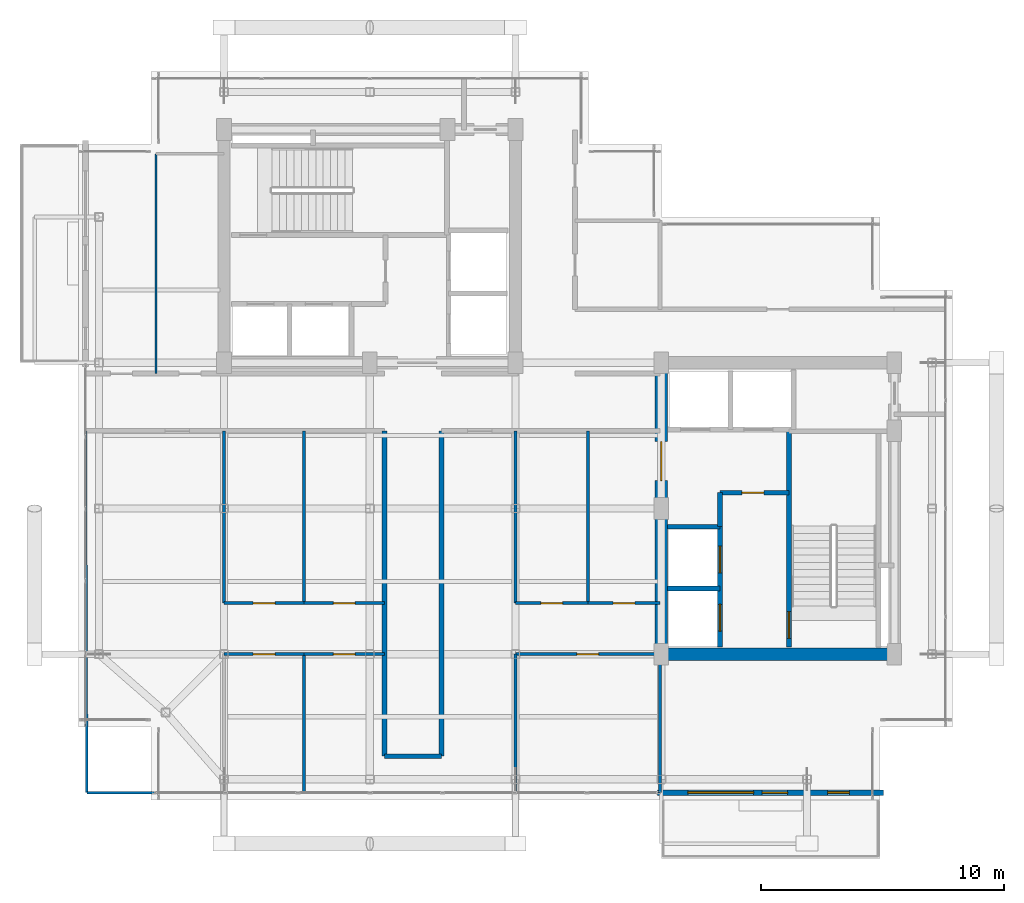
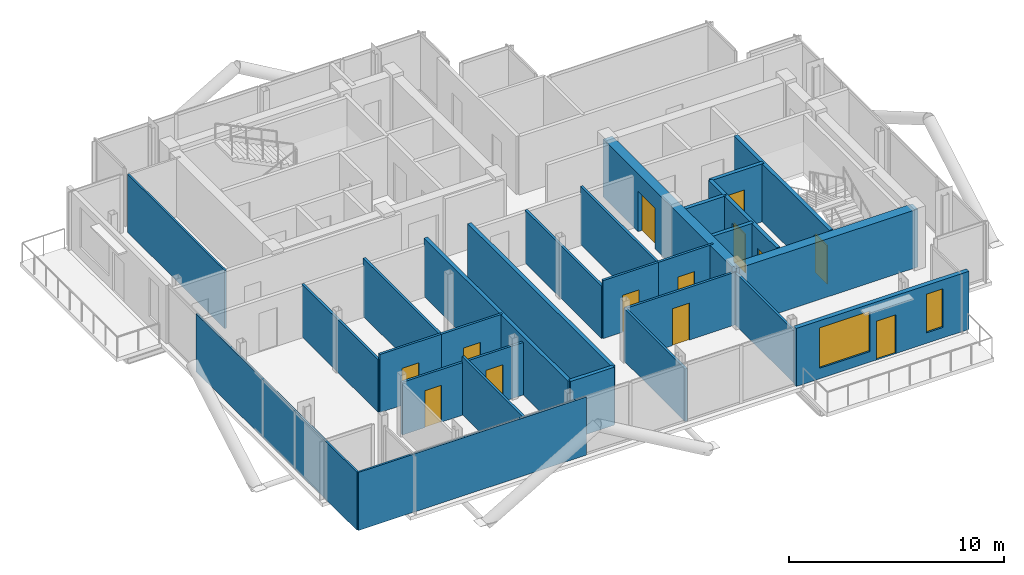
# One storey, part 15 of 19: 29 walls, 13 doors, 2 windows, 15 openings.
"""IFC4 building model written with IfcOpenShell, lengths in metres."""

from ifc_helpers import new_model, si_unit, direction, frame, frame_2d, origin, place, context, subcontext, project, spatial, rectangle, extrude, material, layer, layer_set, type_object, element, fill, save


model = new_model("IFC4")

# Units and contexts
model_context = context("Model", 3, precision=1e-05, world=origin(), true_north=direction((0.0, 1.0)))
body_context = subcontext(model_context, "Body", "Model", "MODEL_VIEW")
ifc_project = project(units=[si_unit("LENGTHUNIT", "METRE"), si_unit("AREAUNIT", "SQUARE_METRE"), si_unit("VOLUMEUNIT", "CUBIC_METRE"), si_unit("PLANEANGLEUNIT", "RADIAN"), si_unit("MASSUNIT", "GRAM", prefix="KILO"), si_unit("THERMODYNAMICTEMPERATUREUNIT", "KELVIN"), si_unit("POWERUNIT", "WATT")], contexts=[model_context])

# Site, building, storey
site_placement = place(None, origin())
site = spatial("IfcSite", under=ifc_project, at=site_placement, CompositionType="ELEMENT")
building_placement = place(site_placement, origin())
building = spatial("IfcBuilding", under=site, at=building_placement, Name="Svarakhadi Broadcast Tower", CompositionType="ELEMENT")
storey_placement = place(building_placement, frame((0.0, 0.0, 257.199951171875)))
storey = spatial("IfcBuildingStorey", under=building, at=storey_placement, Name="L64", CompositionType="ELEMENT", Elevation=257.199951171875)

# Wall, openings, door, windows
ifc_material_1 = material(Name="Concrete C40/50 (IS 456 M50)", Category="concrete")
ifc_layer_1 = layer(ifc_material_1, 0.239990234375)
ifc_layer_set_1 = layer_set([ifc_layer_1], Name="Concrete C40/50 (IS 456 M50)")
wall_type_1 = type_object("IfcWallType", Name="Wall_Ext_240", PredefinedType="SOLIDWALL", material=ifc_layer_set_1)
wall_1_placement = place(storey_placement, frame((33.14501953125, 0.300048828125, 0.0), z_axis=(0.0, 0.0, 1.0), x_axis=(-1.0, 0.0, 0.0)))
wall_1 = element("IfcWall", 1, at=wall_1_placement, inside=storey, type_object=wall_type_1, Name="L64 South Tree Balcony Spandrel Wall", PredefinedType="SOLIDWALL", context=body_context, shape_type="SweptSolid", body=[
    extrude(rectangle(XDim=9.2900390625, YDim=0.239990234375, at=frame_2d((4.64501953125, 0.0))), origin(), (0.0, 0.0, 1.0), 3.300048828125),
])
opening_1_placement = place(wall_1_placement, frame((3.945068359375, 0.0, 0.0)))
opening_1 = element("IfcOpeningElement", 2, at=opening_1_placement, cuts=wall_1, Name="Opening ED-06", PredefinedType="OPENING", context=body_context, shape_type="SweptSolid", body=[
    extrude(rectangle(XDim=1.050048828125, YDim=2.199951171875, at=frame_2d((0.52490234375, 1.10009765625))), frame((0.0, 0.1298828125, 0.0), z_axis=(0.0, -1.0, 0.0), x_axis=(1.0, 0.0, 0.0)), (0.0, 0.0, 1.0), 0.260009765625),
])
opening_2_placement = place(wall_1_placement, frame((5.344970703125, 0.0, 0.60009765625)))
opening_2 = element("IfcOpeningElement", 3, at=opening_2_placement, cuts=wall_1, Name="Opening WN-07", PredefinedType="OPENING", context=body_context, shape_type="SweptSolid", body=[
    extrude(rectangle(XDim=2.699951171875, YDim=2.300048828125, at=frame_2d((1.35009765625, 1.14990234375))), frame((0.0, 0.1298828125, 0.0), z_axis=(0.0, -1.0, 0.0), x_axis=(1.0, 0.0, 0.0)), (0.0, 0.0, 1.0), 0.260009765625),
])
opening_3_placement = place(wall_1_placement, frame((1.39990234375, 0.0, 0.60009765625)))
opening_3 = element("IfcOpeningElement", 4, at=opening_3_placement, cuts=wall_1, Name="Opening WN-04", PredefinedType="OPENING", context=body_context, shape_type="SweptSolid", body=[
    extrude(rectangle(XDim=0.89990234375, YDim=2.199951171875, at=frame_2d((0.449951171875, 1.10009765625))), frame((0.0, 0.1298828125, 0.0), z_axis=(0.0, -1.0, 0.0), x_axis=(1.0, 0.0, 0.0)), (0.0, 0.0, 1.0), 0.260009765625),
])
ifc_material_2 = material(Name="Anodised Bronze Aluminium AA 6063-T6", Category="aluminium")
door_type_1 = type_object("IfcDoorType", Name="Door_Ext_ED06", OperationType="SINGLE_SWING_RIGHT", PredefinedType="DOOR", material=ifc_material_2)
door_1_placement = place(opening_1_placement, origin())
door_1 = element("IfcDoor", 5, at=door_1_placement, inside=storey, type_object=door_type_1, Name="L64 South Tree Balcony Door", OperationType="SINGLE_SWING_RIGHT", OverallHeight=2.199951171875, OverallWidth=1.050048828125, PredefinedType="DOOR", context=body_context, shape_type="SweptSolid", body=[
    extrude(rectangle(XDim=1.050048828125, YDim=2.199951171875, at=frame_2d((0.52490234375, 1.10009765625))), frame((0.0, 0.02490234375, 0.0), z_axis=(0.0, -1.0, 0.0), x_axis=(1.0, 0.0, 0.0)), (0.0, 0.0, 1.0), 0.050048828125),
])
fill(opening_1, door_1)
ifc_material_3 = material(Name="Double Low-E Laminated Acoustic Glass IGU 36 mm", Category="glass")
window_type_1 = type_object("IfcWindowType", Name="Win_Resi_WN07", PartitioningType="SINGLE_PANEL", PredefinedType="WINDOW", material=ifc_material_3)
window_1_placement = place(opening_2_placement, origin())
window_1 = element("IfcWindow", 6, at=window_1_placement, inside=storey, type_object=window_type_1, Name="L64 South Tree Balcony Window", OverallHeight=2.300048828125, OverallWidth=2.699951171875, PartitioningType="SINGLE_PANEL", PredefinedType="WINDOW", context=body_context, shape_type="SweptSolid", body=[
    extrude(rectangle(XDim=2.699951171875, YDim=2.300048828125, at=frame_2d((1.35009765625, 1.14990234375))), frame((0.0, 0.030029296875, 0.0), z_axis=(0.0, -1.0, 0.0), x_axis=(1.0, 0.0, 0.0)), (0.0, 0.0, 1.0), 0.06005859375),
])
fill(opening_2, window_1)
window_type_2 = type_object("IfcWindowType", Name="Win_Slot_WN04", PartitioningType="SINGLE_PANEL", PredefinedType="WINDOW", material=ifc_material_3)
window_2_placement = place(opening_3_placement, origin())
window_2 = element("IfcWindow", 7, at=window_2_placement, inside=storey, type_object=window_type_2, Name="L64 South Primary Bedroom Slot Window", OverallHeight=2.199951171875, OverallWidth=0.89990234375, PartitioningType="SINGLE_PANEL", PredefinedType="WINDOW", context=body_context, shape_type="SweptSolid", body=[
    extrude(rectangle(XDim=0.89990234375, YDim=2.199951171875, at=frame_2d((0.449951171875, 1.10009765625))), frame((0.0, 0.030029296875, 0.0), z_axis=(0.0, -1.0, 0.0), x_axis=(1.0, 0.0, 0.0)), (0.0, 0.0, 1.0), 0.06005859375),
])
fill(opening_3, window_2)

# Walls
ifc_layer_2 = layer(ifc_material_1, 0.199951171875)
ifc_layer_set_2 = layer_set([ifc_layer_2], Name="Concrete C40/50 (IS 456 M50)")
wall_type_2 = type_object("IfcWallType", Name="Wall_Fire_200", PredefinedType="SOLIDWALL", material=ifc_layer_set_2)
for number, where, z_axis, x_axis, name in (
    (8, (12.60009765625, 1.800048828125, 0.0), (0.0, 0.0, 1.0), (0.0, 1.0, 0.0), "L64 Upper Tower Concourse Wall"),
    (9, (14.949951171875, 15.199951171875, 0.0), (0.0, 0.0, 1.0), (0.0, -1.0, 0.0), "L64 Upper Tower Concourse Wall"),
):
    element("IfcWall", number, at=place(storey_placement, frame(where, z_axis=z_axis, x_axis=x_axis)), inside=storey, type_object=wall_type_2, Name=name, PredefinedType="SOLIDWALL", context=body_context, shape_type="SweptSolid", body=[
        extrude(rectangle(XDim=13.39990234375, YDim=0.199951171875, at=frame_2d((6.699951171875, 0.0))), origin(), (0.0, 0.0, 1.0), 3.300048828125),
    ])
wall_2_placement = place(storey_placement, frame((14.949951171875, 1.800048828125, 0.0), z_axis=(0.0, 0.0, 1.0), x_axis=(-1.0, 0.0, 0.0)))
element("IfcWall", 10, at=wall_2_placement, inside=storey, type_object=wall_type_2, Name="L64 Upper Tower Concourse Wall", PredefinedType="SOLIDWALL", context=body_context, shape_type="SweptSolid", body=[
    extrude(rectangle(XDim=2.349853515625, YDim=0.199951171875, at=frame_2d((1.1748046875, 0.0))), origin(), (0.0, 0.0, 1.0), 3.300048828125),
])
ifc_material_4 = material(Name="Fire-Rated Moisture-Resistant Gypsum Board Partition", Category="gypsum")
ifc_layer_3 = layer(ifc_material_4, 0.10009765625)
ifc_layer_set_3 = layer_set([ifc_layer_3], Name="Fire-Rated Moisture-Resistant Gypsum Board Partition")
wall_type_3 = type_object("IfcWallType", Name="Wall_Part_100", PredefinedType="PARTITIONING", material=ifc_layer_set_3)
wall_3_placement = place(storey_placement, frame((0.35009765625, 0.300048828125, 0.0), z_axis=(0.0, 0.0, 1.0), x_axis=(1.0, 0.0, 0.0)))
element("IfcWall", 11, at=wall_3_placement, inside=storey, type_object=wall_type_3, Name="L64 Apartment A Wall", PredefinedType="PARTITIONING", context=body_context, shape_type="SweptSolid", body=[
    extrude(rectangle(XDim=12.25, YDim=0.10009765625, at=frame_2d((6.125, 0.0))), origin(), (0.0, 0.0, 1.0), 3.300048828125),
])
wall_4_placement = place(storey_placement, frame((0.35009765625, 0.300048828125, 0.0), z_axis=(0.0, 0.0, 1.0), x_axis=(-0.003358984819, 0.999994358595, 0.0)))
element("IfcWall", 12, at=wall_4_placement, inside=storey, type_object=wall_type_3, Name="L64 Apartment A Wall", PredefinedType="PARTITIONING", context=body_context, shape_type="SweptSolid", body=[
    extrude(rectangle(XDim=14.89990234375, YDim=0.10009765625, at=frame_2d((7.449951171875, 0.0))), origin(), (0.0, 0.0, 1.0), 3.300048828125),
])
wall_5_placement = place(storey_placement, frame((3.199951171875, 17.550048828125, 0.0), z_axis=(0.0, 0.0, 1.0), x_axis=(0.0, 1.0, 0.0)))
element("IfcWall", 13, at=wall_5_placement, inside=storey, type_object=wall_type_3, Name="L64 Residents Private Dining Salon Wall", PredefinedType="PARTITIONING", context=body_context, shape_type="SweptSolid", body=[
    extrude(rectangle(XDim=9.050048828125, YDim=0.10009765625, at=frame_2d((4.52490234375, 0.0))), origin(), (0.0, 0.0, 1.0), 3.300048828125),
])

# Wall, opening, door
ifc_layer_4 = layer(ifc_material_4, 0.125)
ifc_layer_set_4 = layer_set([ifc_layer_4], Name="Fire-Rated Moisture-Resistant Gypsum Board Partition")
wall_type_4 = type_object("IfcWallType", Name="Wall_Part_125", PredefinedType="PARTITIONING", material=ifc_layer_set_4)
wall_6_placement = place(storey_placement, frame((6.0, 8.10009765625, 0.0), z_axis=(0.0, 0.0, 1.0), x_axis=(1.0, 0.0, 0.0)))
wall_6 = element("IfcWall", 14, at=wall_6_placement, inside=storey, type_object=wall_type_4, Name="L64 Apartment A Kitchen Wall", PredefinedType="PARTITIONING", context=body_context, shape_type="SweptSolid", body=[
    extrude(rectangle(XDim=3.300048828125, YDim=0.125, at=frame_2d((1.64990234375, 0.0))), origin(), (0.0, 0.0, 1.0), 3.300048828125),
])
opening_4_placement = place(wall_6_placement, frame((1.199951171875, 0.0, 0.0)))
opening_4 = element("IfcOpeningElement", 15, at=opening_4_placement, cuts=wall_6, Name="Opening D-14", PredefinedType="OPENING", context=body_context, shape_type="SweptSolid", body=[
    extrude(rectangle(XDim=0.89990234375, YDim=2.10009765625, at=frame_2d((0.449951171875, 1.050048828125))), frame((0.0, 0.072509765625, 0.0), z_axis=(0.0, -1.0, 0.0), x_axis=(1.0, 0.0, 0.0)), (0.0, 0.0, 1.0), 0.14501953125),
])
ifc_material_5 = material(Name="Solid-Core Teak Veneer Acoustic Timber Leaf", Category="wood")
door_type_2 = type_object("IfcDoorType", Name="Door_Int_D14", OperationType="SINGLE_SWING_LEFT", PredefinedType="DOOR", material=ifc_material_5)
door_2_placement = place(opening_4_placement, origin())
door_2 = element("IfcDoor", 16, at=door_2_placement, inside=storey, type_object=door_type_2, Name="L64 Apartment A Kitchen Door", OperationType="SINGLE_SWING_LEFT", OverallHeight=2.10009765625, OverallWidth=0.89990234375, PredefinedType="DOOR", context=body_context, shape_type="SweptSolid", body=[
    extrude(rectangle(XDim=0.89990234375, YDim=2.10009765625, at=frame_2d((0.449951171875, 1.050048828125))), frame((0.0, 0.02490234375, 0.0), z_axis=(0.0, -1.0, 0.0), x_axis=(1.0, 0.0, 0.0)), (0.0, 0.0, 1.0), 0.050048828125),
])
fill(opening_4, door_2)

# Walls
wall_7_placement = place(storey_placement, frame((6.0, 8.10009765625, 0.0), z_axis=(0.0, 0.0, 1.0), x_axis=(0.0, 1.0, 0.0)))
element("IfcWall", 17, at=wall_7_placement, inside=storey, type_object=wall_type_4, Name="L64 Apartment A Kitchen Wall", PredefinedType="PARTITIONING", context=body_context, shape_type="SweptSolid", body=[
    extrude(rectangle(XDim=7.099853515625, YDim=0.125, at=frame_2d((3.5498046875, 0.0))), origin(), (0.0, 0.0, 1.0), 2.991943359375),
])
wall_8_placement = place(storey_placement, frame((9.300048828125, 8.10009765625, 0.0), z_axis=(0.0, 0.0, 1.0), x_axis=(0.0, 1.0, 0.0)))
element("IfcWall", 18, at=wall_8_placement, inside=storey, type_object=wall_type_4, Name="L64 Apartment A Kitchen Wall", PredefinedType="PARTITIONING", context=body_context, shape_type="SweptSolid", body=[
    extrude(rectangle(XDim=7.099853515625, YDim=0.125, at=frame_2d((3.5498046875, 0.0))), origin(), (0.0, 0.0, 1.0), 3.300048828125),
])

# Wall, opening, door
wall_9_placement = place(storey_placement, frame((9.300048828125, 8.10009765625, 0.0), z_axis=(0.0, 0.0, 1.0), x_axis=(1.0, 0.0, 0.0)))
wall_9 = element("IfcWall", 19, at=wall_9_placement, inside=storey, type_object=wall_type_4, Name="L64 Apartment A Bathroom Wall", PredefinedType="PARTITIONING", context=body_context, shape_type="SweptSolid", body=[
    extrude(rectangle(XDim=3.300048828125, YDim=0.125, at=frame_2d((1.64990234375, 0.0))), origin(), (0.0, 0.0, 1.0), 3.300048828125),
])
opening_5_placement = place(wall_9_placement, frame((1.199951171875, 0.0, 0.0)))
opening_5 = element("IfcOpeningElement", 20, at=opening_5_placement, cuts=wall_9, Name="Opening D-13", PredefinedType="OPENING", context=body_context, shape_type="SweptSolid", body=[
    extrude(rectangle(XDim=0.89990234375, YDim=2.10009765625, at=frame_2d((0.449951171875, 1.050048828125))), frame((0.0, 0.072509765625, 0.0), z_axis=(0.0, -1.0, 0.0), x_axis=(1.0, 0.0, 0.0)), (0.0, 0.0, 1.0), 0.14501953125),
])
door_type_3 = type_object("IfcDoorType", Name="Door_Closet_D13", OperationType="SINGLE_SWING_RIGHT", PredefinedType="DOOR", material=ifc_material_5)
door_3_placement = place(opening_5_placement, origin())
door_3 = element("IfcDoor", 21, at=door_3_placement, inside=storey, type_object=door_type_3, Name="L64 Apartment A Bathroom Door", OperationType="SINGLE_SWING_RIGHT", OverallHeight=2.10009765625, OverallWidth=0.89990234375, PredefinedType="DOOR", context=body_context, shape_type="SweptSolid", body=[
    extrude(rectangle(XDim=0.89990234375, YDim=2.10009765625, at=frame_2d((0.449951171875, 1.050048828125))), frame((0.0, 0.02490234375, 0.0), z_axis=(0.0, -1.0, 0.0), x_axis=(1.0, 0.0, 0.0)), (0.0, 0.0, 1.0), 0.050048828125),
])
fill(opening_5, door_3)

wall_10_placement = place(storey_placement, frame((6.0, 6.0, 0.0), z_axis=(0.0, 0.0, 1.0), x_axis=(1.0, 0.0, 0.0)))
wall_10 = element("IfcWall", 22, at=wall_10_placement, inside=storey, type_object=wall_type_4, Name="L64 Apartment A Bedroom 1 Wall", PredefinedType="PARTITIONING", context=body_context, shape_type="SweptSolid", body=[
    extrude(rectangle(XDim=3.300048828125, YDim=0.125, at=frame_2d((1.64990234375, 0.0))), origin(), (0.0, 0.0, 1.0), 2.991943359375),
])
opening_6_placement = place(wall_10_placement, frame((1.199951171875, 0.0, 0.0)))
opening_6 = element("IfcOpeningElement", 23, at=opening_6_placement, cuts=wall_10, Name="Opening D-15", PredefinedType="OPENING", context=body_context, shape_type="SweptSolid", body=[
    extrude(rectangle(XDim=0.89990234375, YDim=2.10009765625, at=frame_2d((0.449951171875, 1.050048828125))), frame((0.0, 0.072509765625, 0.0), z_axis=(0.0, -1.0, 0.0), x_axis=(1.0, 0.0, 0.0)), (0.0, 0.0, 1.0), 0.14501953125),
])
door_type_4 = type_object("IfcDoorType", Name="Door_Int_D15", OperationType="SINGLE_SWING_RIGHT", PredefinedType="DOOR", material=ifc_material_5)
door_4_placement = place(opening_6_placement, origin())
door_4 = element("IfcDoor", 24, at=door_4_placement, inside=storey, type_object=door_type_4, Name="L64 Apartment A Bedroom 1 Door", OperationType="SINGLE_SWING_RIGHT", OverallHeight=2.10009765625, OverallWidth=0.89990234375, PredefinedType="DOOR", context=body_context, shape_type="SweptSolid", body=[
    extrude(rectangle(XDim=0.89990234375, YDim=2.10009765625, at=frame_2d((0.449951171875, 1.050048828125))), frame((0.0, 0.02490234375, 0.0), z_axis=(0.0, -1.0, 0.0), x_axis=(1.0, 0.0, 0.0)), (0.0, 0.0, 1.0), 0.050048828125),
])
fill(opening_6, door_4)

# Wall
wall_11_placement = place(storey_placement, frame((9.300048828125, 0.300048828125, 0.0), z_axis=(0.0, 0.0, 1.0), x_axis=(0.0, 1.0, 0.0)))
element("IfcWall", 25, at=wall_11_placement, inside=storey, type_object=wall_type_4, Name="L64 Apartment A Bedroom 1 Wall", PredefinedType="PARTITIONING", context=body_context, shape_type="SweptSolid", body=[
    extrude(rectangle(XDim=5.699951171875, YDim=0.125, at=frame_2d((2.85009765625, 0.0))), origin(), (0.0, 0.0, 1.0), 3.300048828125),
])

# Wall, opening, door
wall_12_placement = place(storey_placement, frame((9.300048828125, 6.0, 0.0), z_axis=(0.0, 0.0, 1.0), x_axis=(1.0, 0.0, 0.0)))
wall_12 = element("IfcWall", 26, at=wall_12_placement, inside=storey, type_object=wall_type_4, Name="L64 Apartment A Bedroom 2 Wall", PredefinedType="PARTITIONING", context=body_context, shape_type="SweptSolid", body=[
    extrude(rectangle(XDim=3.300048828125, YDim=0.125, at=frame_2d((1.64990234375, 0.0))), origin(), (0.0, 0.0, 1.0), 2.991943359375),
])
opening_7_placement = place(wall_12_placement, frame((1.199951171875, 0.0, 0.0)))
opening_7 = element("IfcOpeningElement", 27, at=opening_7_placement, cuts=wall_12, Name="Opening D-14", PredefinedType="OPENING", context=body_context, shape_type="SweptSolid", body=[
    extrude(rectangle(XDim=0.89990234375, YDim=2.10009765625, at=frame_2d((0.449951171875, 1.050048828125))), frame((0.0, 0.072509765625, 0.0), z_axis=(0.0, -1.0, 0.0), x_axis=(1.0, 0.0, 0.0)), (0.0, 0.0, 1.0), 0.14501953125),
])
door_5_placement = place(opening_7_placement, origin())
door_5 = element("IfcDoor", 28, at=door_5_placement, inside=storey, type_object=door_type_2, Name="L64 Apartment A Bedroom 2 Door", OperationType="SINGLE_SWING_LEFT", OverallHeight=2.10009765625, OverallWidth=0.89990234375, PredefinedType="DOOR", context=body_context, shape_type="SweptSolid", body=[
    extrude(rectangle(XDim=0.89990234375, YDim=2.10009765625, at=frame_2d((0.449951171875, 1.050048828125))), frame((0.0, 0.02490234375, 0.0), z_axis=(0.0, -1.0, 0.0), x_axis=(1.0, 0.0, 0.0)), (0.0, 0.0, 1.0), 0.050048828125),
])
fill(opening_7, door_5)

wall_13_placement = place(storey_placement, frame((18.0, 8.10009765625, 0.0), z_axis=(0.0, 0.0, 1.0), x_axis=(1.0, 0.0, 0.0)))
wall_13 = element("IfcWall", 29, at=wall_13_placement, inside=storey, type_object=wall_type_4, Name="L64 Apartment B Kitchen Wall", PredefinedType="PARTITIONING", context=body_context, shape_type="SweptSolid", body=[
    extrude(rectangle(XDim=2.97998046875, YDim=0.125, at=frame_2d((1.489990234375, 0.0))), origin(), (0.0, 0.0, 1.0), 3.300048828125),
])
opening_8_placement = place(wall_13_placement, frame((1.0400390625, 0.0, 0.0)))
opening_8 = element("IfcOpeningElement", 30, at=opening_8_placement, cuts=wall_13, Name="Opening D-14", PredefinedType="OPENING", context=body_context, shape_type="SweptSolid", body=[
    extrude(rectangle(XDim=0.89990234375, YDim=2.10009765625, at=frame_2d((0.449951171875, 1.050048828125))), frame((0.0, 0.072509765625, 0.0), z_axis=(0.0, -1.0, 0.0), x_axis=(1.0, 0.0, 0.0)), (0.0, 0.0, 1.0), 0.14501953125),
])
door_6_placement = place(opening_8_placement, origin())
door_6 = element("IfcDoor", 31, at=door_6_placement, inside=storey, type_object=door_type_2, Name="L64 Apartment B Kitchen Door", OperationType="SINGLE_SWING_LEFT", OverallHeight=2.10009765625, OverallWidth=0.89990234375, PredefinedType="DOOR", context=body_context, shape_type="SweptSolid", body=[
    extrude(rectangle(XDim=0.89990234375, YDim=2.10009765625, at=frame_2d((0.449951171875, 1.050048828125))), frame((0.0, 0.02490234375, 0.0), z_axis=(0.0, -1.0, 0.0), x_axis=(1.0, 0.0, 0.0)), (0.0, 0.0, 1.0), 0.050048828125),
])
fill(opening_8, door_6)

# Walls
wall_14_placement = place(storey_placement, frame((18.0, 8.10009765625, 0.0), z_axis=(0.0, 0.0, 1.0), x_axis=(0.0, 1.0, 0.0)))
element("IfcWall", 32, at=wall_14_placement, inside=storey, type_object=wall_type_4, Name="L64 Apartment B Kitchen Wall", PredefinedType="PARTITIONING", context=body_context, shape_type="SweptSolid", body=[
    extrude(rectangle(XDim=7.099853515625, YDim=0.125, at=frame_2d((3.5498046875, 0.0))), origin(), (0.0, 0.0, 1.0), 2.991943359375),
])
wall_15_placement = place(storey_placement, frame((20.97998046875, 8.10009765625, 0.0), z_axis=(0.0, 0.0, 1.0), x_axis=(0.0, 1.0, 0.0)))
element("IfcWall", 33, at=wall_15_placement, inside=storey, type_object=wall_type_4, Name="L64 Apartment B Kitchen Wall", PredefinedType="PARTITIONING", context=body_context, shape_type="SweptSolid", body=[
    extrude(rectangle(XDim=7.099853515625, YDim=0.125, at=frame_2d((3.5498046875, 0.0))), origin(), (0.0, 0.0, 1.0), 3.300048828125),
])

# Wall, opening, door
wall_16_placement = place(storey_placement, frame((20.97998046875, 8.10009765625, 0.0), z_axis=(0.0, 0.0, 1.0), x_axis=(1.0, 0.0, 0.0)))
wall_16 = element("IfcWall", 34, at=wall_16_placement, inside=storey, type_object=wall_type_4, Name="L64 Apartment B Bathroom Wall", PredefinedType="PARTITIONING", context=body_context, shape_type="SweptSolid", body=[
    extrude(rectangle(XDim=2.969970703125, YDim=0.125, at=frame_2d((1.48486328125, 0.0))), origin(), (0.0, 0.0, 1.0), 3.300048828125),
])
opening_9_placement = place(wall_16_placement, frame((1.034912109375, 0.0, 0.0)))
opening_9 = element("IfcOpeningElement", 35, at=opening_9_placement, cuts=wall_16, Name="Opening D-13", PredefinedType="OPENING", context=body_context, shape_type="SweptSolid", body=[
    extrude(rectangle(XDim=0.89990234375, YDim=2.10009765625, at=frame_2d((0.449951171875, 1.050048828125))), frame((0.0, 0.072509765625, 0.0), z_axis=(0.0, -1.0, 0.0), x_axis=(1.0, 0.0, 0.0)), (0.0, 0.0, 1.0), 0.14501953125),
])
door_7_placement = place(opening_9_placement, origin())
door_7 = element("IfcDoor", 36, at=door_7_placement, inside=storey, type_object=door_type_3, Name="L64 Apartment B Bathroom Door", OperationType="SINGLE_SWING_RIGHT", OverallHeight=2.10009765625, OverallWidth=0.89990234375, PredefinedType="DOOR", context=body_context, shape_type="SweptSolid", body=[
    extrude(rectangle(XDim=0.89990234375, YDim=2.10009765625, at=frame_2d((0.449951171875, 1.050048828125))), frame((0.0, 0.02490234375, 0.0), z_axis=(0.0, -1.0, 0.0), x_axis=(1.0, 0.0, 0.0)), (0.0, 0.0, 1.0), 0.050048828125),
])
fill(opening_9, door_7)

wall_17_placement = place(storey_placement, frame((18.0, 6.0, 0.0), z_axis=(0.0, 0.0, 1.0), x_axis=(1.0, 0.0, 0.0)))
wall_17 = element("IfcWall", 37, at=wall_17_placement, inside=storey, type_object=wall_type_4, Name="L64 Apartment B Primary Bedroom Wall", PredefinedType="PARTITIONING", context=body_context, shape_type="SweptSolid", body=[
    extrude(rectangle(XDim=5.949951171875, YDim=0.125, at=frame_2d((2.97509765625, 0.0))), origin(), (0.0, 0.0, 1.0), 2.991943359375),
])
opening_10_placement = place(wall_17_placement, frame((2.52490234375, 0.0, 0.0)))
opening_10 = element("IfcOpeningElement", 38, at=opening_10_placement, cuts=wall_17, Name="Opening D-14", PredefinedType="OPENING", context=body_context, shape_type="SweptSolid", body=[
    extrude(rectangle(XDim=0.89990234375, YDim=2.10009765625, at=frame_2d((0.449951171875, 1.050048828125))), frame((0.0, 0.072509765625, 0.0), z_axis=(0.0, -1.0, 0.0), x_axis=(1.0, 0.0, 0.0)), (0.0, 0.0, 1.0), 0.14501953125),
])
door_8_placement = place(opening_10_placement, origin())
door_8 = element("IfcDoor", 39, at=door_8_placement, inside=storey, type_object=door_type_2, Name="L64 Apartment B Bedroom Door", OperationType="SINGLE_SWING_LEFT", OverallHeight=2.10009765625, OverallWidth=0.89990234375, PredefinedType="DOOR", context=body_context, shape_type="SweptSolid", body=[
    extrude(rectangle(XDim=0.89990234375, YDim=2.10009765625, at=frame_2d((0.449951171875, 1.050048828125))), frame((0.0, 0.02490234375, 0.0), z_axis=(0.0, -1.0, 0.0), x_axis=(1.0, 0.0, 0.0)), (0.0, 0.0, 1.0), 0.050048828125),
])
fill(opening_10, door_8)

# Walls
wall_18_placement = place(storey_placement, frame((18.0, 0.300048828125, 0.0), z_axis=(0.0, 0.0, 1.0), x_axis=(0.0, 1.0, 0.0)))
element("IfcWall", 40, at=wall_18_placement, inside=storey, type_object=wall_type_4, Name="L64 Apartment B Primary Bedroom Wall", PredefinedType="PARTITIONING", context=body_context, shape_type="SweptSolid", body=[
    extrude(rectangle(XDim=5.699951171875, YDim=0.125, at=frame_2d((2.85009765625, 0.0))), origin(), (0.0, 0.0, 1.0), 2.991943359375),
])
wall_19_placement = place(storey_placement, frame((23.949951171875, 0.300048828125, 0.0), z_axis=(0.0, 0.0, 1.0), x_axis=(0.0, 1.0, 0.0)))
element("IfcWall", 41, at=wall_19_placement, inside=storey, type_object=wall_type_4, Name="L64 Apartment B Primary Bedroom Wall", PredefinedType="PARTITIONING", context=body_context, shape_type="SweptSolid", body=[
    extrude(rectangle(XDim=5.699951171875, YDim=0.125, at=frame_2d((2.85009765625, 0.0))), origin(), (0.0, 0.0, 1.0), 2.967041015625),
])

# Wall, opening, door
ifc_material_6 = material(Name="Concrete C50/60 (IS 456 M60)", Category="concrete")
ifc_layer_5 = layer(ifc_material_6, 0.199951171875)
ifc_layer_set_5 = layer_set([ifc_layer_5], Name="Concrete C50/60 (IS 456 M60)")
wall_type_5 = type_object("IfcWallType", Name="Wall_Shear_200", PredefinedType="SHEAR", material=ifc_layer_set_5)
wall_20_placement = place(storey_placement, frame((29.260009765625, 6.300048828125, 0.0), z_axis=(0.0, 0.0, 1.0), x_axis=(0.0, 1.0, 0.0)))
wall_20 = element("IfcWall", 42, at=wall_20_placement, inside=storey, type_object=wall_type_5, Name="L64 Stair ST-02 West RC Shaft Wall", PredefinedType="SHEAR", context=body_context, shape_type="SweptSolid", body=[
    extrude(rectangle(XDim=8.8798828125, YDim=0.199951171875, at=frame_2d((4.43994140625, 0.0))), origin(), (0.0, 0.0, 1.0), 3.300048828125),
])
opening_11_placement = place(wall_20_placement, frame((0.35009765625, 0.0, 0.0)))
opening_11 = element("IfcOpeningElement", 43, at=opening_11_placement, cuts=wall_20, Name="Opening D-02", PredefinedType="OPENING", context=body_context, shape_type="SweptSolid", body=[
    extrude(rectangle(XDim=1.10009765625, YDim=2.199951171875, at=frame_2d((0.550048828125, 1.10009765625))), frame((0.0, 0.10986328125, 0.0), z_axis=(0.0, -1.0, 0.0), x_axis=(1.0, 0.0, 0.0)), (0.0, 0.0, 1.0), 0.219970703125),
])
ifc_material_7 = material(Name="Galvanised Powder-Coated Fire-Rated Steel Leaf", Category="steel")
door_type_5 = type_object("IfcDoorType", Name="Door_Stair_D02", OperationType="SINGLE_SWING_RIGHT", PredefinedType="DOOR", material=ifc_material_7)
door_9_placement = place(opening_11_placement, origin())
door_9 = element("IfcDoor", 44, at=door_9_placement, inside=storey, type_object=door_type_5, Name="L64 Protected Exit Stair ST-02 Fire Door", OperationType="SINGLE_SWING_RIGHT", OverallHeight=2.199951171875, OverallWidth=1.10009765625, PredefinedType="DOOR", context=body_context, shape_type="SweptSolid", body=[
    extrude(rectangle(XDim=1.10009765625, YDim=2.199951171875, at=frame_2d((0.550048828125, 1.10009765625))), frame((0.0, 0.02490234375, 0.0), z_axis=(0.0, -1.0, 0.0), x_axis=(1.0, 0.0, 0.0)), (0.0, 0.0, 1.0), 0.050048828125),
])
fill(opening_11, door_9)

# Wall, openings, doors
wall_21_placement = place(storey_placement, frame((26.419921875, 6.300048828125, 0.0), z_axis=(0.0, 0.0, 1.0), x_axis=(0.0, 1.0, 0.0)))
wall_21 = element("IfcWall", 45, at=wall_21_placement, inside=storey, type_object=wall_type_5, Name="L64 Firefighting Lift LF-03/04 Shaft Wall", PredefinedType="SHEAR", context=body_context, shape_type="SweptSolid", body=[
    extrude(rectangle(XDim=4.949951171875, YDim=0.199951171875, at=frame_2d((2.47509765625, 0.0))), origin(), (0.0, 0.0, 1.0), 3.300048828125),
])
opening_12_placement = place(wall_21_placement, frame((0.64990234375, 0.0, 0.0)))
opening_12 = element("IfcOpeningElement", 46, at=opening_12_placement, cuts=wall_21, Name="Opening LD-01", PredefinedType="OPENING", context=body_context, shape_type="SweptSolid", body=[
    extrude(rectangle(XDim=1.10009765625, YDim=2.199951171875, at=frame_2d((0.550048828125, 1.10009765625))), frame((0.0, 0.10986328125, 0.0), z_axis=(0.0, -1.0, 0.0), x_axis=(1.0, 0.0, 0.0)), (0.0, 0.0, 1.0), 0.219970703125),
])
opening_13_placement = place(wall_21_placement, frame((3.050048828125, 0.0, 0.0)))
opening_13 = element("IfcOpeningElement", 47, at=opening_13_placement, cuts=wall_21, Name="Opening LD-01", PredefinedType="OPENING", context=body_context, shape_type="SweptSolid", body=[
    extrude(rectangle(XDim=1.10009765625, YDim=2.199951171875, at=frame_2d((0.550048828125, 1.10009765625))), frame((0.0, 0.10986328125, 0.0), z_axis=(0.0, -1.0, 0.0), x_axis=(1.0, 0.0, 0.0)), (0.0, 0.0, 1.0), 0.219970703125),
])
door_type_6 = type_object("IfcDoorType", Name="Door_Lift_LD01", OperationType="SLIDING_TO_LEFT", PredefinedType="DOOR", material=ifc_material_7)
door_10_placement = place(opening_12_placement, origin())
door_10 = element("IfcDoor", 48, at=door_10_placement, inside=storey, type_object=door_type_6, Name="L64 Firefighting Lift LF-03 Landing Door", OperationType="SLIDING_TO_LEFT", OverallHeight=2.199951171875, OverallWidth=1.10009765625, PredefinedType="DOOR", context=body_context, shape_type="SweptSolid", body=[
    extrude(rectangle(XDim=1.10009765625, YDim=2.199951171875, at=frame_2d((0.550048828125, 1.10009765625))), frame((0.0, 0.02490234375, 0.0), z_axis=(0.0, -1.0, 0.0), x_axis=(1.0, 0.0, 0.0)), (0.0, 0.0, 1.0), 0.050048828125),
])
fill(opening_12, door_10)
door_11_placement = place(opening_13_placement, origin())
door_11 = element("IfcDoor", 49, at=door_11_placement, inside=storey, type_object=door_type_6, Name="L64 Firefighting Lift LF-04 Landing Door", OperationType="SLIDING_TO_LEFT", OverallHeight=2.199951171875, OverallWidth=1.10009765625, PredefinedType="DOOR", context=body_context, shape_type="SweptSolid", body=[
    extrude(rectangle(XDim=1.10009765625, YDim=2.199951171875, at=frame_2d((0.550048828125, 1.10009765625))), frame((0.0, 0.02490234375, 0.0), z_axis=(0.0, -1.0, 0.0), x_axis=(1.0, 0.0, 0.0)), (0.0, 0.0, 1.0), 0.050048828125),
])
fill(opening_13, door_11)

# Walls
for number, where, z_axis, x_axis, name in (
    (50, (24.25, 8.699951171875, 0.0), (0.0, 0.0, 1.0), (1.0, 0.0, 0.0), "L64 Firefighting Lift LF-03/04 Divider Wall"),
    (51, (24.25, 11.25, 0.0), (0.0, 0.0, 1.0), (1.0, 0.0, 0.0), "L64 Firefighting Lift LF-04 North Wall"),
):
    element("IfcWall", number, at=place(storey_placement, frame(where, z_axis=z_axis, x_axis=x_axis)), inside=storey, type_object=wall_type_5, Name=name, PredefinedType="SHEAR", context=body_context, shape_type="SweptSolid", body=[
        extrude(rectangle(XDim=2.169921875, YDim=0.199951171875, at=frame_2d((1.0849609375, 0.0))), origin(), (0.0, 0.0, 1.0), 3.300048828125),
    ])
wall_22_placement = place(storey_placement, frame((26.419921875, 11.25, 0.0), z_axis=(0.0, 0.0, 1.0), x_axis=(0.0, 1.0, 0.0)))
element("IfcWall", 52, at=wall_22_placement, inside=storey, type_object=wall_type_5, Name="L64 East Firefighting Lobby West Wall", PredefinedType="SHEAR", context=body_context, shape_type="SweptSolid", body=[
    extrude(rectangle(XDim=1.39990234375, YDim=0.199951171875, at=frame_2d((0.699951171875, 0.0))), origin(), (0.0, 0.0, 1.0), 3.300048828125),
])

# Wall, opening, door
wall_23_placement = place(storey_placement, frame((26.419921875, 12.64990234375, 0.0), z_axis=(0.0, 0.0, 1.0), x_axis=(1.0, 0.0, 0.0)))
wall_23 = element("IfcWall", 53, at=wall_23_placement, inside=storey, type_object=wall_type_5, Name="L64 East Firefighting Lobby North Wall", PredefinedType="SHEAR", context=body_context, shape_type="SweptSolid", body=[
    extrude(rectangle(XDim=2.840087890625, YDim=0.199951171875, at=frame_2d((1.419921875, 0.0))), origin(), (0.0, 0.0, 1.0), 3.300048828125),
])
opening_14_placement = place(wall_23_placement, frame((0.89990234375, 0.0, 0.0)))
opening_14 = element("IfcOpeningElement", 54, at=opening_14_placement, cuts=wall_23, Name="Opening D-03", PredefinedType="OPENING", context=body_context, shape_type="SweptSolid", body=[
    extrude(rectangle(XDim=0.89990234375, YDim=2.14990234375, at=frame_2d((0.449951171875, 1.074951171875))), frame((0.0, 0.10986328125, 0.0), z_axis=(0.0, -1.0, 0.0), x_axis=(1.0, 0.0, 0.0)), (0.0, 0.0, 1.0), 0.219970703125),
])
door_type_7 = type_object("IfcDoorType", Name="Door_Fire_D03", OperationType="SINGLE_SWING_LEFT", PredefinedType="DOOR", material=ifc_material_7)
door_12_placement = place(opening_14_placement, origin())
door_12 = element("IfcDoor", 55, at=door_12_placement, inside=storey, type_object=door_type_7, Name="L64 East Firefighting Lobby Fire Door", OperationType="SINGLE_SWING_LEFT", OverallHeight=2.14990234375, OverallWidth=0.89990234375, PredefinedType="DOOR", context=body_context, shape_type="SweptSolid", body=[
    extrude(rectangle(XDim=0.89990234375, YDim=2.14990234375, at=frame_2d((0.449951171875, 1.074951171875))), frame((0.0, 0.02490234375, 0.0), z_axis=(0.0, -1.0, 0.0), x_axis=(1.0, 0.0, 0.0)), (0.0, 0.0, 1.0), 0.050048828125),
])
fill(opening_14, door_12)

# Wall
ifc_layer_6 = layer(ifc_material_6, 0.5)
ifc_layer_set_6 = layer_set([ifc_layer_6], Name="Concrete C50/60 (IS 456 M60)")
wall_type_6 = type_object("IfcWallType", Name="Wall_Shear_500", PredefinedType="SHEAR", material=ifc_layer_set_6)
wall_24_placement = place(storey_placement, frame((24.0, 6.0, 0.0), z_axis=(0.0, 0.0, 1.0), x_axis=(1.0, 0.0, 0.0)))
element("IfcWall", 56, at=wall_24_placement, inside=storey, type_object=wall_type_6, Name="L64 East Core South Shear Wall", PredefinedType="SHEAR", context=body_context, shape_type="SweptSolid", body=[
    extrude(rectangle(XDim=9.60009765625, YDim=0.5, at=frame_2d((4.800048828125, 0.0))), origin(), (0.0, 0.0, 1.0), 3.300048828125),
])

# Wall, opening, door
wall_25_placement = place(storey_placement, frame((24.0, 6.0, 0.0), z_axis=(0.0, 0.0, 1.0), x_axis=(0.0, 1.0, 0.0)))
wall_25 = element("IfcWall", 57, at=wall_25_placement, inside=storey, type_object=wall_type_6, Name="L64 East Core West Shear Wall", PredefinedType="SHEAR", context=body_context, shape_type="SweptSolid", body=[
    extrude(rectangle(XDim=12.0, YDim=0.5, at=frame_2d((6.0, 0.0))), origin(), (0.0, 0.0, 1.0), 3.300048828125),
])
opening_15_placement = place(wall_25_placement, frame((7.14990234375, 0.0, 0.0)))
opening_15 = element("IfcOpeningElement", 58, at=opening_15_placement, cuts=wall_25, Name="Opening D-05", PredefinedType="OPENING", context=body_context, shape_type="SweptSolid", body=[
    extrude(rectangle(XDim=1.60009765625, YDim=2.300048828125, at=frame_2d((0.800048828125, 1.14990234375))), frame((0.0, 0.260009765625, 0.0), z_axis=(0.0, -1.0, 0.0), x_axis=(1.0, 0.0, 0.0)), (0.0, 0.0, 1.0), 0.52001953125),
])
door_type_8 = type_object("IfcDoorType", Name="Door_Lobby_D05", OperationType="DOUBLE_DOOR_SLIDING", PredefinedType="DOOR", material=ifc_material_2)
door_13_placement = place(opening_15_placement, origin())
door_13 = element("IfcDoor", 59, at=door_13_placement, inside=storey, type_object=door_type_8, Name="L64 East Core Passenger Lift Lobby Entrance Door", OperationType="DOUBLE_DOOR_SLIDING", OverallHeight=2.300048828125, OverallWidth=1.60009765625, PredefinedType="DOOR", context=body_context, shape_type="SweptSolid", body=[
    extrude(rectangle(XDim=1.60009765625, YDim=2.300048828125, at=frame_2d((0.800048828125, 1.14990234375))), frame((0.0, 0.02490234375, 0.0), z_axis=(0.0, -1.0, 0.0), x_axis=(1.0, 0.0, 0.0)), (0.0, 0.0, 1.0), 0.050048828125),
])
fill(opening_15, door_13)

save(model, "model.ifc")
